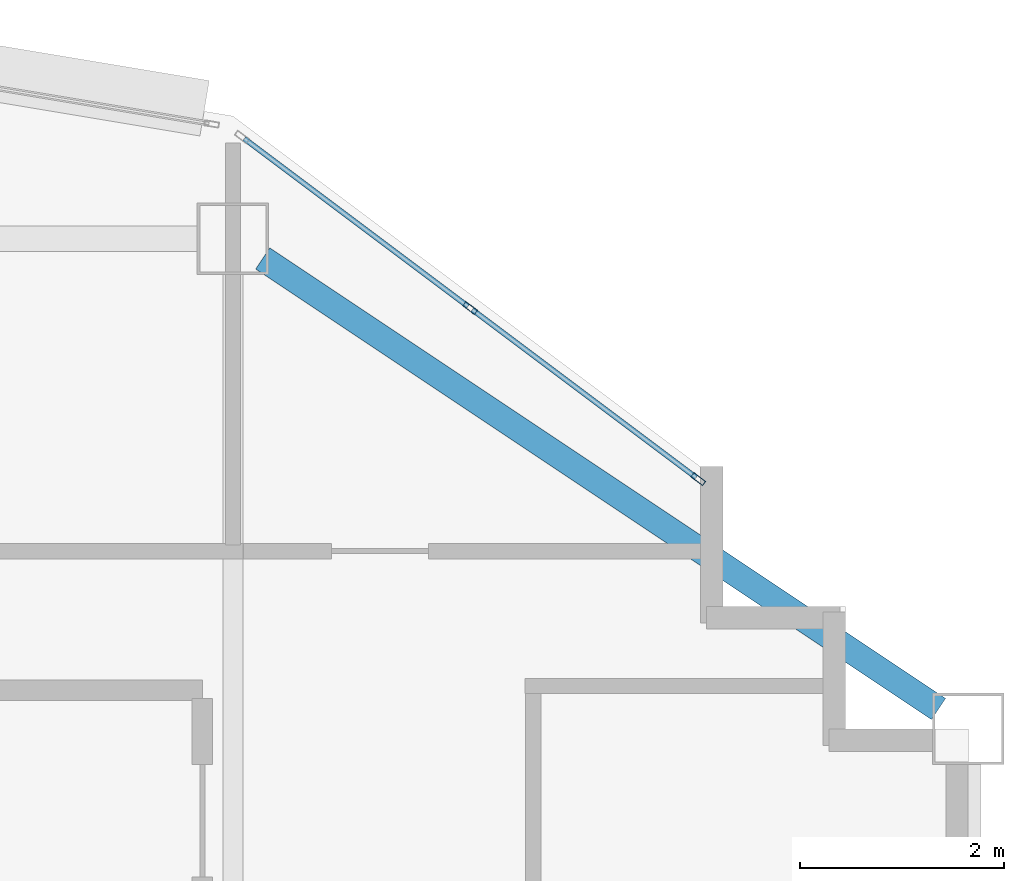
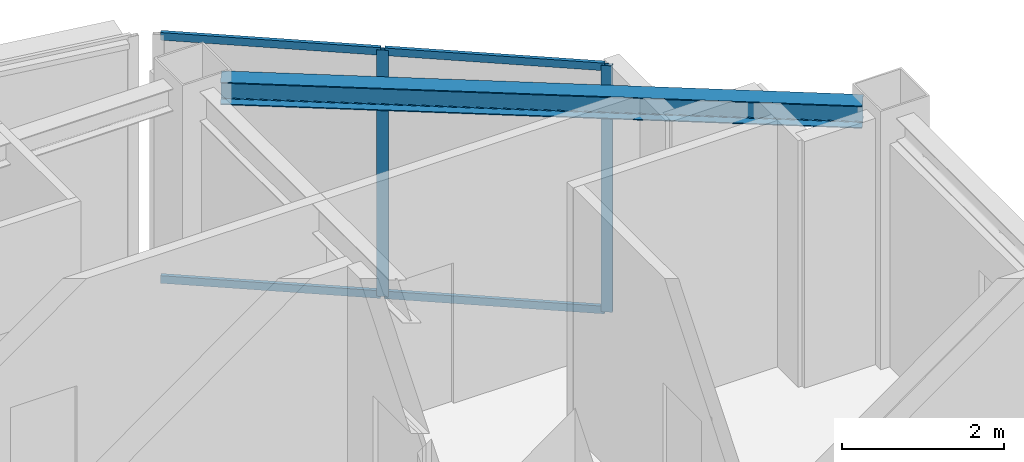
# One storey, part 2 of 10: 6 members, 1 beam, 1 element without a shape of its own.
"""IFC4 building model written with IfcOpenShell, lengths in metres."""

import ifcopenshell
import ifcopenshell.guid

model = None  # the IFC model being written
_history = None  # IfcOwnerHistory: only IFC2X3 demands one
_inside = {}  # id of a spatial element -> (the spatial element, [elements in it])
_under = {}  # id of a project, library or spatial element -> (it, [spatial elements below it])
_declared = {}  # id of a project -> (the project, [libraries it declares])
_typed = {}  # id of a type object -> (the type object, [elements of that type])
_made_of = {}  # id of a material, layer set ... -> (it, [elements and type objects made of it])


def new_model(schema):
    """Start an empty IFC model of exactly this schema.

    Asked for "IFC4X3", IfcOpenShell would pick the latest addendum, in which some entities
    have other attributes; the version numbers below select the first issue.
    IFC2X3 requires an IfcOwnerHistory on every rooted entity: one is made here for all.
    """
    global model, _history
    if schema == "IFC4X3":
        model = ifcopenshell.file(schema_version=(4, 3, 0, 0))
    else:
        model = ifcopenshell.file(schema=schema)
    _inside.clear()
    _under.clear()
    _declared.clear()
    _typed.clear()
    _made_of.clear()
    _history = None
    if model.schema == "IFC2X3":
        org = make("IfcOrganization", Name="unknown")
        user = make(
            "IfcPersonAndOrganization",
            ThePerson=make("IfcPerson", FamilyName="unknown"),
            TheOrganization=org,
        )
        app = make(
            "IfcApplication",
            ApplicationDeveloper=org,
            Version="unknown",
            ApplicationFullName="unknown",
            ApplicationIdentifier="unknown",
        )
        _history = make(
            "IfcOwnerHistory",
            OwningUser=user,
            OwningApplication=app,
            ChangeAction="ADDED",
            CreationDate=0,
        )
    return model


def make(cls, **values):
    """One entity of the class cls with the attributes given. An attribute that is None is left unset."""
    return model.create_entity(
        cls, **{name: value for name, value in values.items() if value is not None}
    )


def rooted(cls, **values):
    """An entity with a GlobalId (a new one), such as an element, a storey or a relation."""
    return make(cls, GlobalId=ifcopenshell.guid.new(), OwnerHistory=_history, **values)


def si_unit(unit_type, name, prefix=None):
    """IfcSIUnit, for example si_unit("LENGTHUNIT", "METRE", prefix="MILLI")."""
    return make("IfcSIUnit", UnitType=unit_type, Prefix=prefix, Name=name)


def assignment(units):
    """IfcUnitAssignment: the units of a project."""
    return None if units is None else make("IfcUnitAssignment", Units=units)


def point(xyz):
    """IfcCartesianPoint."""
    return None if xyz is None else make("IfcCartesianPoint", Coordinates=xyz)


def direction(xyz):
    """IfcDirection."""
    return None if xyz is None else make("IfcDirection", DirectionRatios=xyz)


def frame(location, z_axis=None, x_axis=None):
    """IfcAxis2Placement3D, a coordinate frame: its origin and axes. An axis left out is left unset."""
    return make(
        "IfcAxis2Placement3D",
        Location=point(location),
        Axis=direction(z_axis),
        RefDirection=direction(x_axis),
    )


def frame_2d(location, x_axis=None):
    """IfcAxis2Placement2D, a coordinate frame in the plane: its origin and x axis."""
    return make(
        "IfcAxis2Placement2D", Location=point(location), RefDirection=direction(x_axis)
    )


def origin():
    """The frame at (0, 0, 0) with its axes left unset."""
    return frame((0.0, 0.0, 0.0))


def origin_2d():
    """The frame at (0, 0) in the plane with its x axis left unset."""
    return frame_2d((0.0, 0.0))


def place(relative_to, where):
    """IfcLocalPlacement: puts the frame where relative to a parent placement (None: the world)."""
    return make(
        "IfcLocalPlacement", PlacementRelTo=relative_to, RelativePlacement=where
    )


def context(
    kind, dimensions, precision=None, world=None, true_north=None, identifier=None
):
    """IfcGeometricRepresentationContext, for example the 3D "Model" context."""
    return make(
        "IfcGeometricRepresentationContext",
        ContextIdentifier=identifier,
        ContextType=kind,
        CoordinateSpaceDimension=dimensions,
        Precision=precision,
        WorldCoordinateSystem=world,
        TrueNorth=true_north,
    )


def subcontext(parent, identifier, kind, view, scale=None):
    """IfcGeometricRepresentationSubContext, for example "Body" below "Model"."""
    return make(
        "IfcGeometricRepresentationSubContext",
        ContextIdentifier=identifier,
        ContextType=kind,
        ParentContext=parent,
        TargetScale=scale,
        TargetView=view,
    )


def project(units=None, contexts=None):
    """IfcProject with its units and contexts."""
    return rooted(
        "IfcProject",
        Name="project",
        RepresentationContexts=contexts,
        UnitsInContext=assignment(units),
    )


def spatial(cls, under=None, at=None, **own):
    """A site, building, storey or space (cls), placed at a placement, below another one or the project."""
    s = rooted(cls, ObjectPlacement=at, **own)
    if under is not None:
        _under.setdefault(under.id(), (under, []))[1].append(s)
    return s


def profile(cls, at=None, kind="AREA", **sizes):
    """A parametric profile (cls). Its sizes go by their IFC names, for example OverallWidth=200.0."""
    return make(cls, ProfileType=kind, Position=at, **sizes)


def hollow_rectangle(**sizes):
    """IfcRectangleHollowProfileDef."""
    return profile("IfcRectangleHollowProfileDef", **sizes)


def i_section(**sizes):
    """IfcIShapeProfileDef."""
    return profile("IfcIShapeProfileDef", **sizes)


def extrude(swept, where, along, depth):
    """IfcExtrudedAreaSolid: the profile swept, set in the frame where, extruded along a direction by depth."""
    return make(
        "IfcExtrudedAreaSolid",
        SweptArea=swept,
        Position=where,
        ExtrudedDirection=direction(along),
        Depth=depth,
    )


def shape(context_of_items, identifier, shape_type, items):
    """IfcShapeRepresentation: the items that make up one representation, for example the "Body"."""
    return make(
        "IfcShapeRepresentation",
        ContextOfItems=context_of_items,
        RepresentationIdentifier=identifier,
        RepresentationType=shape_type,
        Items=items,
    )


def material(Name=None, Category=None):
    """IfcMaterial."""
    return make("IfcMaterial", Name=Name, Category=Category)


def layer(
    of_material, thickness, ventilated=None, Name=None, Category=None, Priority=None
):
    """IfcMaterialLayer: one layer of a wall or slab, of a material (None: an air gap)."""
    return make(
        "IfcMaterialLayer",
        Material=of_material,
        LayerThickness=thickness,
        IsVentilated=ventilated,
        Name=Name,
        Category=Category,
        Priority=Priority,
    )


def layer_set(layers, Name=None):
    """IfcMaterialLayerSet."""
    return make("IfcMaterialLayerSet", MaterialLayers=layers, LayerSetName=Name)


def material_profile(
    of_material, cross_section, Name=None, Category=None, Priority=None
):
    """IfcMaterialProfile: a cross section and its material."""
    return make(
        "IfcMaterialProfile",
        Name=Name,
        Material=of_material,
        Profile=cross_section,
        Priority=Priority,
        Category=Category,
    )


def profile_set(profiles, Name=None, composite=None):
    """IfcMaterialProfileSet."""
    return make(
        "IfcMaterialProfileSet",
        Name=Name,
        MaterialProfiles=profiles,
        CompositeProfile=composite,
    )


def made_of(thing, what):
    """Note that an element or type object is made of a material, layer set ...; save() writes the relation."""
    if what is not None:
        _made_of.setdefault(what.id(), (what, []))[1].append(thing)
    return thing


def type_object(cls, material=None, **own):
    """A type object (cls), such as IfcWallType, which elements share."""
    return made_of(rooted(cls, **own), material)


def element(
    cls,
    number,
    at=None,
    inside=None,
    cuts=None,
    type_object=None,
    material=None,
    context=None,
    identifier="Body",
    shape_type=None,
    held_by="IfcProductDefinitionShape",
    body=None,
    shapes=None,
    **own,
):
    """One element of the class cls, such as IfcWall. Its Tag is "e" and its number.

    at: its placement. inside: the storey or other place that contains it. cuts: it is an
    opening in that element (IfcRelVoidsElement). A single representation is given by context,
    identifier, shape_type and body (its items); several are given by shapes. held_by: the class
    of the entity that holds the representations. save() writes the other relations.
    """
    e = rooted(cls, Tag="e%d" % number, ObjectPlacement=at, **own)
    if body is not None:
        shapes = [shape(context, identifier, shape_type, body)]
    if shapes is not None:
        e.Representation = make(held_by, Representations=shapes)
    if inside is not None:
        _inside.setdefault(inside.id(), (inside, []))[1].append(e)
    if cuts is not None:
        rooted(
            "IfcRelVoidsElement", RelatingBuildingElement=cuts, RelatedOpeningElement=e
        )
    if type_object is not None:
        _typed.setdefault(type_object.id(), (type_object, []))[1].append(e)
    return made_of(e, material)


def aggregate(whole, parts):
    """IfcRelAggregates: a whole, such as a stair, and the parts it consists of."""
    return rooted("IfcRelAggregates", RelatingObject=whole, RelatedObjects=parts)


def save(model, path):
    """Write the relations noted so far, then the file.

    IfcRelAggregates (storeys below a building ...), IfcRelContainedInSpatialStructure (elements
    in a storey), IfcRelDefinesByType, IfcRelAssociatesMaterial and IfcRelDeclares: one each for
    every whole, place, type object, material and project.
    """
    for whole, parts in _under.values():
        aggregate(whole, parts)
    for where, things in _inside.values():
        rooted(
            "IfcRelContainedInSpatialStructure",
            RelatedElements=things,
            RelatingStructure=where,
        )
    for kind, things in _typed.values():
        rooted("IfcRelDefinesByType", RelatedObjects=things, RelatingType=kind)
    for what, things in _made_of.values():
        rooted("IfcRelAssociatesMaterial", RelatedObjects=things, RelatingMaterial=what)
    for by, libraries in _declared.values():
        rooted("IfcRelDeclares", RelatingContext=by, RelatedDefinitions=libraries)
    model.write(path)


model = new_model("IFC4")

# Units and contexts
model_context = context("Model", 3, precision=1e-05, world=origin(), true_north=direction((0.0, 1.0)))
body_context = subcontext(model_context, "Body", "Model", "MODEL_VIEW")
ifc_project = project(units=[si_unit("LENGTHUNIT", "METRE"), si_unit("AREAUNIT", "SQUARE_METRE"), si_unit("VOLUMEUNIT", "CUBIC_METRE"), si_unit("PLANEANGLEUNIT", "RADIAN"), si_unit("MASSUNIT", "GRAM", prefix="KILO")], contexts=[model_context])

# Site, building, storey
site_placement = place(None, origin())
site = spatial("IfcSite", under=ifc_project, at=site_placement, CompositionType="ELEMENT")
building_placement = place(site_placement, origin())
building = spatial("IfcBuilding", under=site, at=building_placement, Name="Haolan Belvedere Tower", CompositionType="ELEMENT")
storey_placement = place(building_placement, frame((0.0, 0.0, 286.10009765625)))
storey = spatial("IfcBuildingStorey", under=building, at=storey_placement, Name="L72", CompositionType="ELEMENT", Elevation=286.10009765625)

# Beam
ifc_material_1 = material(Name="Steel Q355B", Category="steel")
ifc_material_profile_1 = material_profile(ifc_material_1, i_section(OverallWidth=0.25, OverallDepth=0.340087890625, WebThickness=0.009033203125, FlangeThickness=0.013916015625, FilletRadius=0.02001953125, at=origin_2d()), Name="Steel Q355B")
ifc_profile_set_1 = profile_set([ifc_material_profile_1], Name="Steel Q355B")
beam_type = type_object("IfcBeamType", Name="BM-HM340x250x9x14", PredefinedType="SPANDREL", material=ifc_profile_set_1)
beam_placement = place(storey_placement, frame((45.89111328125, 50.205810546875, 3.5498046875), z_axis=(0.832059739299, -0.554686028522, 0.0), x_axis=(0.554686028522, 0.832059739299, 0.0)))
element("IfcBeam", 1, at=beam_placement, inside=storey, type_object=beam_type, Name="L72 spandrel girder MC-T3-N2-MC-T3-NE", PredefinedType="SPANDREL", context=body_context, shape_type="SweptSolid", body=[
    extrude(i_section(OverallWidth=0.25, OverallDepth=0.340087890625, WebThickness=0.009033203125, FlangeThickness=0.013916015625, FilletRadius=0.02001953125, at=origin_2d()), origin(), (0.0, 0.0, 1.0), 7.953369140625),
])

# Curtain wall, members
ifc_material_2 = material(Name="Anodised champagne-silver aluminium 6063-T6 and Low-E glass", Category="aluminium")
ifc_layer = layer(ifc_material_2, 0.14501953125, Name="Anodised champagne-silver aluminium 6063-T6 and Low-E glass")
ifc_layer_set = layer_set([ifc_layer], Name="Anodised champagne-silver aluminium 6063-T6 and Low-E glass")
curtain_wall_type = type_object("IfcCurtainWallType", Name="CW-SYS-05", PredefinedType="NOTDEFINED", material=ifc_layer_set)
curtain_wall_placement = place(storey_placement, origin())
curtain_wall = element("IfcCurtainWall", 2, at=curtain_wall_placement, inside=storey, type_object=curtain_wall_type, Name="L72 CW-SYS-05 ribbon curtain wall 8.1", PredefinedType="NOTDEFINED")
ifc_material_3 = material(Name="Anodised aluminium 6063-T6", Category="aluminium")
ifc_material_profile_2 = material_profile(ifc_material_3, hollow_rectangle(XDim=0.053955078125, YDim=0.14501953125, WallThickness=0.00390625, at=origin_2d()), Name="Anodised aluminium 6063-T6")
ifc_profile_set_2 = profile_set([ifc_material_profile_2], Name="Anodised aluminium 6063-T6")
member_type_1 = type_object("IfcMemberType", Name="CW-SYS-05-MUL", PredefinedType="MULLION", material=ifc_profile_set_2)
member_1_placement = place(storey_placement, frame((50.156494140625, 48.045166015625, 0.0), z_axis=(0.0, 0.0, 1.0), x_axis=(-0.600002837806, -0.799997871638, 0.0)))
member_1 = element("IfcMember", 3, at=member_1_placement, type_object=member_type_1, Name="CW-05 mullion 1", PredefinedType="MULLION", context=body_context, shape_type="SweptSolid", body=[
    extrude(hollow_rectangle(XDim=0.053955078125, YDim=0.14501953125, WallThickness=0.00390625, at=origin_2d()), origin(), (0.0, 0.0, 1.0), 3.719970703125),
])
member_2_placement = place(storey_placement, frame((47.9228515625, 49.720458984375, 0.0), z_axis=(0.0, 0.0, 1.0), x_axis=(-0.600002837806, -0.799997871638, 0.0)))
member_2 = element("IfcMember", 4, at=member_2_placement, type_object=member_type_1, Name="CW-05 mullion 2", PredefinedType="MULLION", context=body_context, shape_type="SweptSolid", body=[
    extrude(hollow_rectangle(XDim=0.053955078125, YDim=0.14501953125, WallThickness=0.00390625, at=origin_2d()), origin(), (0.0, 0.0, 1.0), 3.719970703125),
])
ifc_material_profile_3 = material_profile(ifc_material_3, hollow_rectangle(XDim=0.050048828125, YDim=0.114990234375, WallThickness=0.00390625, at=origin_2d()), Name="Anodised aluminium 6063-T6")
ifc_profile_set_3 = profile_set([ifc_material_profile_3], Name="Anodised aluminium 6063-T6")
member_type_2 = type_object("IfcMemberType", Name="CW-SYS-05-TRN", PredefinedType="USERDEFINED", material=ifc_profile_set_3)
member_3_placement = place(storey_placement, frame((50.134765625, 48.061279296875, 0.02490234375), z_axis=(-0.799957200433, 0.60005706185, 0.0), x_axis=(-0.60005706185, -0.799957200433, 0.0)))
member_3 = element("IfcMember", 5, at=member_3_placement, type_object=member_type_2, Name="CW-05 transom 1.1", ObjectType="TRANSOM", PredefinedType="USERDEFINED", context=body_context, shape_type="SweptSolid", body=[
    extrude(hollow_rectangle(XDim=0.050048828125, YDim=0.114990234375, WallThickness=0.00390625, at=origin_2d()), origin(), (0.0, 0.0, 1.0), 2.73828125),
])
member_4_placement = place(storey_placement, frame((50.134765625, 48.061279296875, 3.69482421875), z_axis=(-0.799957200433, 0.60005706185, 0.0), x_axis=(-0.60005706185, -0.799957200433, 0.0)))
member_4 = element("IfcMember", 6, at=member_4_placement, type_object=member_type_2, Name="CW-05 transom 1.2", ObjectType="TRANSOM", PredefinedType="USERDEFINED", context=body_context, shape_type="SweptSolid", body=[
    extrude(hollow_rectangle(XDim=0.050048828125, YDim=0.114990234375, WallThickness=0.00390625, at=origin_2d()), origin(), (0.0, 0.0, 1.0), 2.73828125),
])
member_5_placement = place(storey_placement, frame((47.901123046875, 49.736572265625, 0.02490234375), z_axis=(-0.8, 0.6, 0.0), x_axis=(-0.6, -0.8, 0.0)))
member_5 = element("IfcMember", 7, at=member_5_placement, type_object=member_type_2, Name="CW-05 transom 2.1", ObjectType="TRANSOM", PredefinedType="USERDEFINED", context=body_context, shape_type="SweptSolid", body=[
    extrude(hollow_rectangle(XDim=0.050048828125, YDim=0.114990234375, WallThickness=0.00390625, at=origin_2d()), origin(), (0.0, 0.0, 1.0), 2.738037109375),
])
member_6_placement = place(storey_placement, frame((47.901123046875, 49.736572265625, 3.69482421875), z_axis=(-0.8, 0.6, 0.0), x_axis=(-0.6, -0.8, 0.0)))
member_6 = element("IfcMember", 8, at=member_6_placement, type_object=member_type_2, Name="CW-05 transom 2.2", ObjectType="TRANSOM", PredefinedType="USERDEFINED", context=body_context, shape_type="SweptSolid", body=[
    extrude(hollow_rectangle(XDim=0.050048828125, YDim=0.114990234375, WallThickness=0.00390625, at=origin_2d()), origin(), (0.0, 0.0, 1.0), 2.738037109375),
])
aggregate(curtain_wall, [member_1, member_2, member_3, member_4, member_5, member_6])

save(model, "model.ifc")
